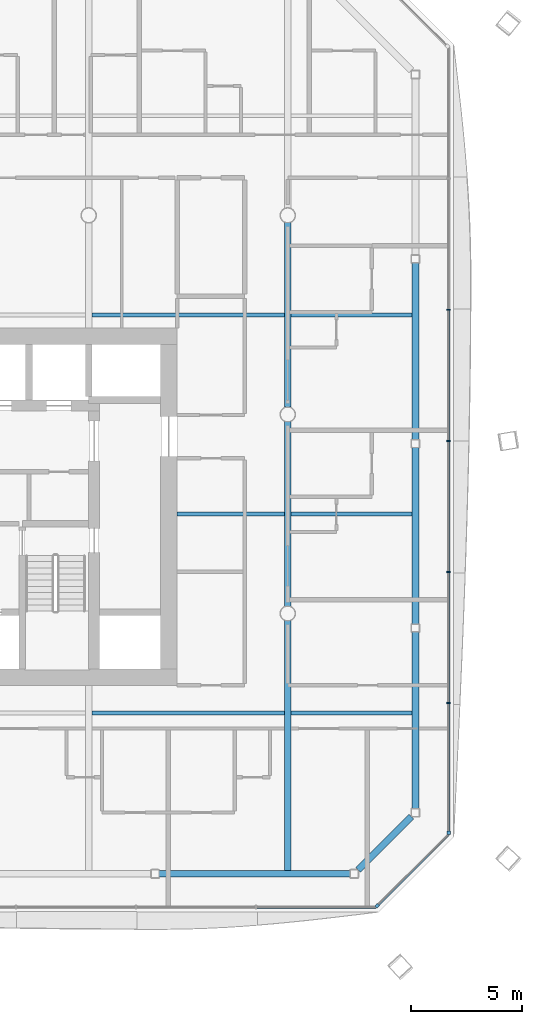
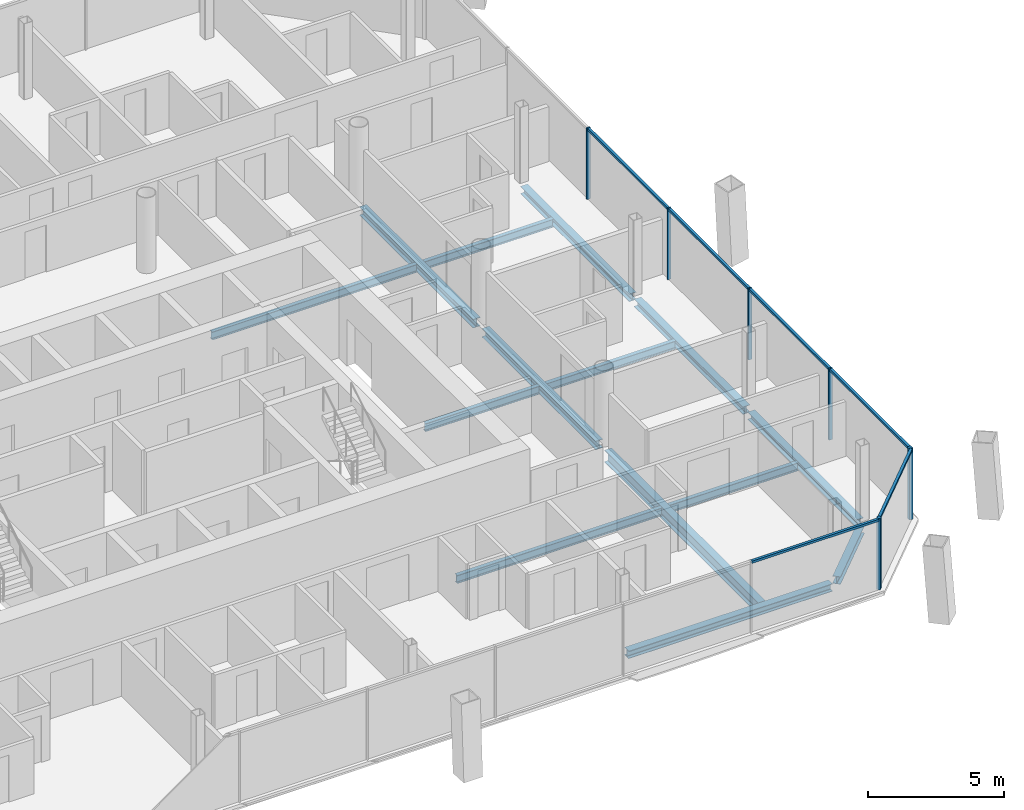
# One storey, part 8 of 21: 14 beams, 12 members, 3 elements without a shape of their own.
"""IFC4 building model written with IfcOpenShell, lengths in metres."""

from ifc_helpers import new_model, si_unit, direction, frame, origin, origin_2d, place, context, subcontext, project, spatial, rectangle, i_section, extrude, material, material_profile, profile_set, type_object, element, aggregate, save


model = new_model("IFC4")

# Units and contexts
model_context = context("Model", 3, precision=1e-05, world=origin(), true_north=direction((0.0, 1.0)))
body_context = subcontext(model_context, "Body", "Model", "MODEL_VIEW")
ifc_project = project(units=[si_unit("LENGTHUNIT", "METRE"), si_unit("AREAUNIT", "SQUARE_METRE"), si_unit("VOLUMEUNIT", "CUBIC_METRE"), si_unit("PLANEANGLEUNIT", "RADIAN"), si_unit("MASSUNIT", "GRAM", prefix="KILO")], contexts=[model_context])

# Site, building, storey
site_placement = place(None, origin())
site = spatial("IfcSite", under=ifc_project, at=site_placement, CompositionType="ELEMENT")
building_placement = place(site_placement, origin())
building = spatial("IfcBuilding", under=site, at=building_placement, Name="Tskaro Facet Tower", CompositionType="ELEMENT")
storey_placement = place(building_placement, frame((0.0, 0.0, 148.699951171875)))
storey = spatial("IfcBuildingStorey", under=building, at=storey_placement, Name="L36", CompositionType="ELEMENT", Elevation=148.699951171875)

# Curtain wall, member
ifc_material_1 = material(Name="Bronze anodised aluminium 6063-T6", Category="aluminium")
curtain_wall_type = type_object("IfcCurtainWallType", Name="Bronze hotel curtain wall (FW2)", PredefinedType="NOTDEFINED", material=ifc_material_1)
curtain_wall_1_placement = place(storey_placement, origin())
curtain_wall_1 = element("IfcCurtainWall", 1, at=curtain_wall_1_placement, inside=storey, type_object=curtain_wall_type, Name="FW2 south-east facet L36", PredefinedType="NOTDEFINED")
ifc_material_profile_1 = material_profile(ifc_material_1, rectangle(XDim=0.14990234375, YDim=0.14990234375, at=origin_2d()), Name="Corner post 150x150")
ifc_profile_set_1 = profile_set([ifc_material_profile_1], Name="Bronze anodised aluminium 6063-T6")
member_type_1 = type_object("IfcMemberType", Name="FW2 bronze corner post 150x150", PredefinedType="MULLION", material=ifc_profile_set_1)
member_1_placement = place(storey_placement, frame((22.0361328125, -22.218994140625, 0.0), z_axis=(0.0, 0.0, 1.0), x_axis=(0.707106781187, 0.707106781187, 0.0)))
member_1 = element("IfcMember", 2, at=member_1_placement, type_object=member_type_1, Name="FW2 south-east corner post", PredefinedType="MULLION", context=body_context, shape_type="SweptSolid", body=[
    extrude(rectangle(XDim=0.14990234375, YDim=0.14990234375, at=origin_2d()), origin(), (0.0, 0.0, 1.0), 3.199951171875),
])

# Curtain wall, members
curtain_wall_2_placement = place(storey_placement, origin())
curtain_wall_2 = element("IfcCurtainWall", 3, at=curtain_wall_2_placement, inside=storey, type_object=curtain_wall_type, Name="FW2 east facet L36", PredefinedType="NOTDEFINED")
member_2_placement = place(storey_placement, frame((25.27197265625, -18.907958984375, 0.0), z_axis=(0.0, 0.0, 1.0), x_axis=(0.0, 1.0, 0.0)))
member_2 = element("IfcMember", 4, at=member_2_placement, type_object=member_type_1, Name="FW2 east corner post", PredefinedType="MULLION", context=body_context, shape_type="SweptSolid", body=[
    extrude(rectangle(XDim=0.14990234375, YDim=0.14990234375, at=origin_2d()), origin(), (0.0, 0.0, 1.0), 3.199951171875),
])
ifc_material_profile_2 = material_profile(ifc_material_1, rectangle(XDim=0.06005859375, YDim=0.14990234375, at=origin_2d()), Name="Mullion 60x150")
ifc_profile_set_2 = profile_set([ifc_material_profile_2], Name="Bronze anodised aluminium 6063-T6")
member_type_2 = type_object("IfcMemberType", Name="FW2 bronze mullion 60x150", PredefinedType="MULLION", material=ifc_profile_set_2)
member_3_placement = place(storey_placement, frame((25.27197265625, -13.053955078125, 0.0), z_axis=(0.0, 0.0, 1.0), x_axis=(0.0, 1.0, 0.0)))
member_3 = element("IfcMember", 5, at=member_3_placement, type_object=member_type_2, Name="FW2 east mullion 1", PredefinedType="MULLION", context=body_context, shape_type="SweptSolid", body=[
    extrude(rectangle(XDim=0.06005859375, YDim=0.14990234375, at=origin_2d()), origin(), (0.0, 0.0, 1.0), 3.199951171875),
])
member_4_placement = place(storey_placement, frame((25.27197265625, -7.124755859375, 0.0), z_axis=(0.0, 0.0, 1.0), x_axis=(0.0, 1.0, 0.0)))
member_4 = element("IfcMember", 6, at=member_4_placement, type_object=member_type_2, Name="FW2 east mullion 2", PredefinedType="MULLION", context=body_context, shape_type="SweptSolid", body=[
    extrude(rectangle(XDim=0.06005859375, YDim=0.14990234375, at=origin_2d()), origin(), (0.0, 0.0, 1.0), 3.199951171875),
])
member_5_placement = place(storey_placement, frame((25.27197265625, -1.195556640625, 0.0), z_axis=(0.0, 0.0, 1.0), x_axis=(0.0, 1.0, 0.0)))
member_5 = element("IfcMember", 7, at=member_5_placement, type_object=member_type_2, Name="FW2 east mullion 3", PredefinedType="MULLION", context=body_context, shape_type="SweptSolid", body=[
    extrude(rectangle(XDim=0.06005859375, YDim=0.14990234375, at=origin_2d()), origin(), (0.0, 0.0, 1.0), 3.199951171875),
])
member_6_placement = place(storey_placement, frame((25.27197265625, 4.733642578125, 0.0), z_axis=(0.0, 0.0, 1.0), x_axis=(0.0, 1.0, 0.0)))
member_6 = element("IfcMember", 8, at=member_6_placement, type_object=member_type_2, Name="FW2 east mullion 4", PredefinedType="MULLION", context=body_context, shape_type="SweptSolid", body=[
    extrude(rectangle(XDim=0.06005859375, YDim=0.14990234375, at=origin_2d()), origin(), (0.0, 0.0, 1.0), 3.199951171875),
])

# Curtain wall, member
curtain_wall_3_placement = place(storey_placement, origin())
curtain_wall_3 = element("IfcCurtainWall", 9, at=curtain_wall_3_placement, inside=storey, type_object=curtain_wall_type, Name="FW2 south facet L36", PredefinedType="NOTDEFINED")
ifc_material_profile_3 = material_profile(ifc_material_1, rectangle(XDim=0.110107421875, YDim=0.10009765625, at=origin_2d()), Name="Transom 110x100")
ifc_profile_set_3 = profile_set([ifc_material_profile_3], Name="Bronze anodised aluminium 6063-T6")
member_type_3 = type_object("IfcMemberType", Name="FW2 bronze transom 110x100", PredefinedType="USERDEFINED", material=ifc_profile_set_3)
member_7_placement = place(storey_placement, frame((16.58935546875, -22.27197265625, 3.150146484375), z_axis=(1.0, 0.0, 0.0), x_axis=(0.0, 1.0, 0.0)))
member_7 = element("IfcMember", 10, at=member_7_placement, type_object=member_type_3, Name="FW2 south transom 7.1", ObjectType="TRANSOM", PredefinedType="USERDEFINED", context=body_context, shape_type="SweptSolid", body=[
    extrude(rectangle(XDim=0.110107421875, YDim=0.10009765625, at=origin_2d()), origin(), (0.0, 0.0, 1.0), 5.3935546875),
])
aggregate(curtain_wall_3, [member_7])

# Member
member_8_placement = place(storey_placement, frame((22.089111328125, -22.166015625, 3.150146484375), z_axis=(0.707079662477, 0.707133898856, 0.0), x_axis=(-0.707133898856, 0.707079662477, 0.0)))
member_8 = element("IfcMember", 11, at=member_8_placement, type_object=member_type_3, Name="FW2 south-east transom 1.1", ObjectType="TRANSOM", PredefinedType="USERDEFINED", context=body_context, shape_type="SweptSolid", body=[
    extrude(rectangle(XDim=0.110107421875, YDim=0.10009765625, at=origin_2d()), origin(), (0.0, 0.0, 1.0), 4.50146484375),
])

aggregate(curtain_wall_1, [member_1, member_8])

member_9_placement = place(storey_placement, frame((25.27197265625, -18.8330078125, 3.150146484375), z_axis=(0.0, 1.0, 0.0), x_axis=(-1.0, 0.0, 0.0)))
member_9 = element("IfcMember", 12, at=member_9_placement, type_object=member_type_3, Name="FW2 east transom 1.1", ObjectType="TRANSOM", PredefinedType="USERDEFINED", context=body_context, shape_type="SweptSolid", body=[
    extrude(rectangle(XDim=0.110107421875, YDim=0.10009765625, at=origin_2d()), origin(), (0.0, 0.0, 1.0), 5.749267578125),
])

member_10_placement = place(storey_placement, frame((25.27197265625, -13.02392578125, 3.150146484375), z_axis=(0.0, 1.0, 0.0), x_axis=(-1.0, 0.0, 0.0)))
member_10 = element("IfcMember", 13, at=member_10_placement, type_object=member_type_3, Name="FW2 east transom 2.1", ObjectType="TRANSOM", PredefinedType="USERDEFINED", context=body_context, shape_type="SweptSolid", body=[
    extrude(rectangle(XDim=0.110107421875, YDim=0.10009765625, at=origin_2d()), origin(), (0.0, 0.0, 1.0), 5.869140625),
])

member_11_placement = place(storey_placement, frame((25.27197265625, -7.0947265625, 3.150146484375), z_axis=(0.0, 1.0, 0.0), x_axis=(-1.0, 0.0, 0.0)))
member_11 = element("IfcMember", 14, at=member_11_placement, type_object=member_type_3, Name="FW2 east transom 3.1", ObjectType="TRANSOM", PredefinedType="USERDEFINED", context=body_context, shape_type="SweptSolid", body=[
    extrude(rectangle(XDim=0.110107421875, YDim=0.10009765625, at=origin_2d()), origin(), (0.0, 0.0, 1.0), 5.869140625),
])

member_12_placement = place(storey_placement, frame((25.27197265625, -1.16552734375, 3.150146484375), z_axis=(0.0, 1.0, 0.0), x_axis=(-1.0, 0.0, 0.0)))
member_12 = element("IfcMember", 15, at=member_12_placement, type_object=member_type_3, Name="FW2 east transom 4.1", ObjectType="TRANSOM", PredefinedType="USERDEFINED", context=body_context, shape_type="SweptSolid", body=[
    extrude(rectangle(XDim=0.110107421875, YDim=0.10009765625, at=origin_2d()), origin(), (0.0, 0.0, 1.0), 5.869140625),
])

aggregate(curtain_wall_2, [member_2, member_3, member_4, member_5, member_6, member_9, member_10, member_11, member_12])

# Beams
ifc_material_2 = material(Name="Steel S355J2", Category="steel")
ifc_material_profile_4 = material_profile(ifc_material_2, i_section(OverallWidth=0.300048828125, OverallDepth=0.340087890625, WebThickness=0.011962890625, FlangeThickness=0.021484375, FilletRadius=0.027099609375, at=origin_2d()), Name="HE 340 B")
ifc_profile_set_4 = profile_set([ifc_material_profile_4], Name="Steel S355J2")
beam_type_1 = type_object("IfcBeamType", Name="HE 340 B ring beam", PredefinedType="BEAM", material=ifc_profile_set_4)
beam_1_placement = place(storey_placement, frame((12.179931640625, -20.77392578125, -0.31005859375), z_axis=(1.0, 0.0, 0.0), x_axis=(0.0, 1.0, 0.0)))
element("IfcBeam", 16, at=beam_1_placement, inside=storey, type_object=beam_type_1, Name="HE 340 B EB4-3", PredefinedType="BEAM", context=body_context, shape_type="SweptSolid", body=[
    extrude(i_section(OverallWidth=0.300048828125, OverallDepth=0.340087890625, WebThickness=0.011962890625, FlangeThickness=0.021484375, FilletRadius=0.027099609375, at=origin_2d()), origin(), (0.0, 0.0, 1.0), 8.63916015625),
])
beam_2_placement = place(storey_placement, frame((21.184814453125, -20.588134765625, -0.31005859375), z_axis=(0.707106781187, 0.707106781187, 0.0), x_axis=(-0.707106781187, 0.707106781187, 0.0)))
element("IfcBeam", 17, at=beam_2_placement, inside=storey, type_object=beam_type_1, Name="HE 340 B EB5-3", PredefinedType="BEAM", context=body_context, shape_type="SweptSolid", body=[
    extrude(i_section(OverallWidth=0.300048828125, OverallDepth=0.340087890625, WebThickness=0.011962890625, FlangeThickness=0.021484375, FilletRadius=0.027099609375, at=origin_2d()), origin(), (0.0, 0.0, 1.0), 3.39892578125),
])
beam_3_placement = place(storey_placement, frame((23.77392578125, -17.819091796875, -0.31005859375), z_axis=(0.0, 1.0, 0.0), x_axis=(-1.0, 0.0, 0.0)))
element("IfcBeam", 18, at=beam_3_placement, inside=storey, type_object=beam_type_1, Name="HE 340 B EB6-3", PredefinedType="BEAM", context=body_context, shape_type="SweptSolid", body=[
    extrude(i_section(OverallWidth=0.300048828125, OverallDepth=0.340087890625, WebThickness=0.011962890625, FlangeThickness=0.021484375, FilletRadius=0.027099609375, at=origin_2d()), origin(), (0.0, 0.0, 1.0), 7.982177734375),
])
beam_4_placement = place(storey_placement, frame((23.77392578125, -9.47705078125, -0.31005859375), z_axis=(0.0, 1.0, 0.0), x_axis=(-1.0, 0.0, 0.0)))
element("IfcBeam", 19, at=beam_4_placement, inside=storey, type_object=beam_type_1, Name="HE 340 B EB7-3", PredefinedType="BEAM", context=body_context, shape_type="SweptSolid", body=[
    extrude(i_section(OverallWidth=0.300048828125, OverallDepth=0.340087890625, WebThickness=0.011962890625, FlangeThickness=0.021484375, FilletRadius=0.027099609375, at=origin_2d()), origin(), (0.0, 0.0, 1.0), 7.98095703125),
])
beam_5_placement = place(storey_placement, frame((23.77392578125, -1.135986328125, -0.31005859375), z_axis=(0.0, 1.0, 0.0), x_axis=(-1.0, 0.0, 0.0)))
element("IfcBeam", 20, at=beam_5_placement, inside=storey, type_object=beam_type_1, Name="HE 340 B EB8-3", PredefinedType="BEAM", context=body_context, shape_type="SweptSolid", body=[
    extrude(i_section(OverallWidth=0.300048828125, OverallDepth=0.340087890625, WebThickness=0.011962890625, FlangeThickness=0.021484375, FilletRadius=0.027099609375, at=origin_2d()), origin(), (0.0, 0.0, 1.0), 7.98193359375),
])
ifc_material_profile_5 = material_profile(ifc_material_2, i_section(OverallWidth=0.300048828125, OverallDepth=0.389892578125, WebThickness=0.010986328125, FlangeThickness=0.01904296875, FilletRadius=0.027099609375, at=origin_2d()), Name="HE 400 A")
ifc_profile_set_5 = profile_set([ifc_material_profile_5], Name="Steel S355J2")
beam_type_2 = type_object("IfcBeamType", Name="HE 400 A girder", PredefinedType="BEAM", material=ifc_profile_set_5)
for number, where, z_axis, x_axis, name in (
    (21, (18.0, -8.674560546875, -0.3349609375), (0.0, 1.0, 0.0), (-1.0, 0.0, 0.0), "HE 400 A GB6-2-3"),
    (22, (18.0, 0.325439453125, -0.3349609375), (0.0, 1.0, 0.0), (-1.0, 0.0, 0.0), "HE 400 A GB6-3-3"),
):
    element("IfcBeam", number, at=place(storey_placement, frame(where, z_axis=z_axis, x_axis=x_axis)), inside=storey, type_object=beam_type_2, Name=name, PredefinedType="BEAM", context=body_context, shape_type="SweptSolid", body=[
        extrude(i_section(OverallWidth=0.300048828125, OverallDepth=0.389892578125, WebThickness=0.010986328125, FlangeThickness=0.01904296875, FilletRadius=0.027099609375, at=origin_2d()), origin(), (0.0, 0.0, 1.0), 8.34912109375),
    ])
ifc_material_profile_6 = material_profile(ifc_material_2, i_section(OverallWidth=0.300048828125, OverallDepth=0.5400390625, WebThickness=0.012451171875, FlangeThickness=0.02392578125, FilletRadius=0.027099609375, at=origin_2d()), Name="HE 550 A")
ifc_profile_set_6 = profile_set([ifc_material_profile_6], Name="Steel S355J2")
beam_type_3 = type_object("IfcBeamType", Name="HE 550 A long girder", PredefinedType="BEAM", material=ifc_profile_set_6)
beam_6_placement = place(storey_placement, frame((18.0, -20.6240234375, -0.409912109375), z_axis=(0.0, 1.0, 0.0), x_axis=(-1.0, 0.0, 0.0)))
element("IfcBeam", 23, at=beam_6_placement, inside=storey, type_object=beam_type_3, Name="HE 550 A LGB6-1-3", PredefinedType="BEAM", context=body_context, shape_type="SweptSolid", body=[
    extrude(i_section(OverallWidth=0.300048828125, OverallDepth=0.5400390625, WebThickness=0.012451171875, FlangeThickness=0.02392578125, FilletRadius=0.027099609375, at=origin_2d()), origin(), (0.0, 0.0, 1.0), 11.298583984375),
])
ifc_material_profile_7 = material_profile(ifc_material_2, i_section(OverallWidth=0.169921875, OverallDepth=0.360107421875, WebThickness=0.008056640625, FlangeThickness=0.0126953125, FilletRadius=0.01806640625, at=origin_2d()), Name="IPE 360")
ifc_profile_set_7 = profile_set([ifc_material_profile_7], Name="Steel S355J2")
beam_type_4 = type_object("IfcBeamType", Name="IPE 360 secondary beam", PredefinedType="BEAM", material=ifc_profile_set_7)
beam_7_placement = place(storey_placement, frame((9.14990234375, -13.5, -0.320068359375), z_axis=(1.0, 0.0, 0.0), x_axis=(0.0, 1.0, 0.0)))
element("IfcBeam", 24, at=beam_7_placement, inside=storey, type_object=beam_type_4, Name="IPE 360 SB2a-4-3", PredefinedType="BEAM", context=body_context, shape_type="SweptSolid", body=[
    extrude(i_section(OverallWidth=0.169921875, OverallDepth=0.360107421875, WebThickness=0.008056640625, FlangeThickness=0.0126953125, FilletRadius=0.01806640625, at=origin_2d()), origin(), (0.0, 0.0, 1.0), 8.7001953125),
])
beam_8_placement = place(storey_placement, frame((18.14990234375, -13.5, -0.320068359375), z_axis=(1.0, 0.0, 0.0), x_axis=(0.0, 1.0, 0.0)))
element("IfcBeam", 25, at=beam_8_placement, inside=storey, type_object=beam_type_4, Name="IPE 360 SB2a-5-3", PredefinedType="BEAM", context=body_context, shape_type="SweptSolid", body=[
    extrude(i_section(OverallWidth=0.169921875, OverallDepth=0.360107421875, WebThickness=0.008056640625, FlangeThickness=0.0126953125, FilletRadius=0.01806640625, at=origin_2d()), origin(), (0.0, 0.0, 1.0), 5.47412109375),
])
beam_9_placement = place(storey_placement, frame((13.0, -4.5, -0.320068359375), z_axis=(1.0, 0.0, 0.0), x_axis=(0.0, 1.0, 0.0)))
element("IfcBeam", 26, at=beam_9_placement, inside=storey, type_object=beam_type_4, Name="IPE 360 SB3a-2-3", PredefinedType="BEAM", context=body_context, shape_type="SweptSolid", body=[
    extrude(i_section(OverallWidth=0.169921875, OverallDepth=0.360107421875, WebThickness=0.008056640625, FlangeThickness=0.0126953125, FilletRadius=0.01806640625, at=origin_2d()), origin(), (0.0, 0.0, 1.0), 4.85009765625),
])
beam_10_placement = place(storey_placement, frame((18.14990234375, -4.5, -0.320068359375), z_axis=(1.0, 0.0, 0.0), x_axis=(0.0, 1.0, 0.0)))
element("IfcBeam", 27, at=beam_10_placement, inside=storey, type_object=beam_type_4, Name="IPE 360 SB3a-3-3", PredefinedType="BEAM", context=body_context, shape_type="SweptSolid", body=[
    extrude(i_section(OverallWidth=0.169921875, OverallDepth=0.360107421875, WebThickness=0.008056640625, FlangeThickness=0.0126953125, FilletRadius=0.01806640625, at=origin_2d()), origin(), (0.0, 0.0, 1.0), 5.47412109375),
])
beam_11_placement = place(storey_placement, frame((9.14990234375, 4.5, -0.320068359375), z_axis=(1.0, 0.0, 0.0), x_axis=(0.0, 1.0, 0.0)))
element("IfcBeam", 28, at=beam_11_placement, inside=storey, type_object=beam_type_4, Name="IPE 360 SB4a-4-3", PredefinedType="BEAM", context=body_context, shape_type="SweptSolid", body=[
    extrude(i_section(OverallWidth=0.169921875, OverallDepth=0.360107421875, WebThickness=0.008056640625, FlangeThickness=0.0126953125, FilletRadius=0.01806640625, at=origin_2d()), origin(), (0.0, 0.0, 1.0), 8.7001953125),
])
beam_12_placement = place(storey_placement, frame((18.14990234375, 4.5, -0.320068359375), z_axis=(1.0, 0.0, 0.0), x_axis=(0.0, 1.0, 0.0)))
element("IfcBeam", 29, at=beam_12_placement, inside=storey, type_object=beam_type_4, Name="IPE 360 SB4a-5-3", PredefinedType="BEAM", context=body_context, shape_type="SweptSolid", body=[
    extrude(i_section(OverallWidth=0.169921875, OverallDepth=0.360107421875, WebThickness=0.008056640625, FlangeThickness=0.0126953125, FilletRadius=0.01806640625, at=origin_2d()), origin(), (0.0, 0.0, 1.0), 5.47412109375),
])

save(model, "model.ifc")
